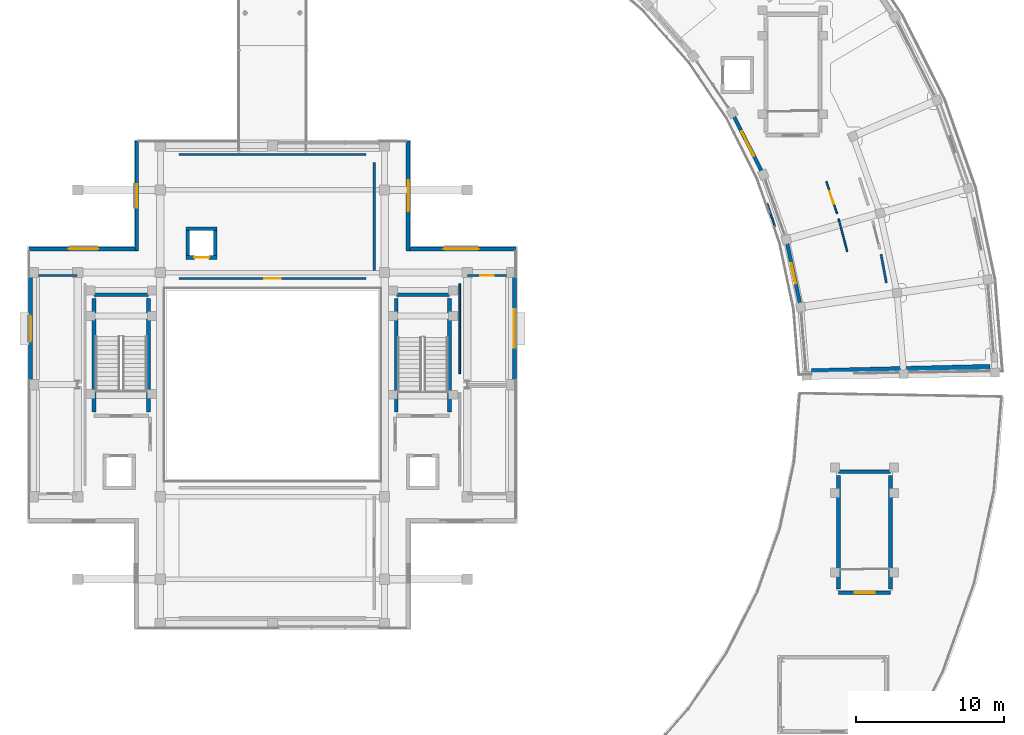
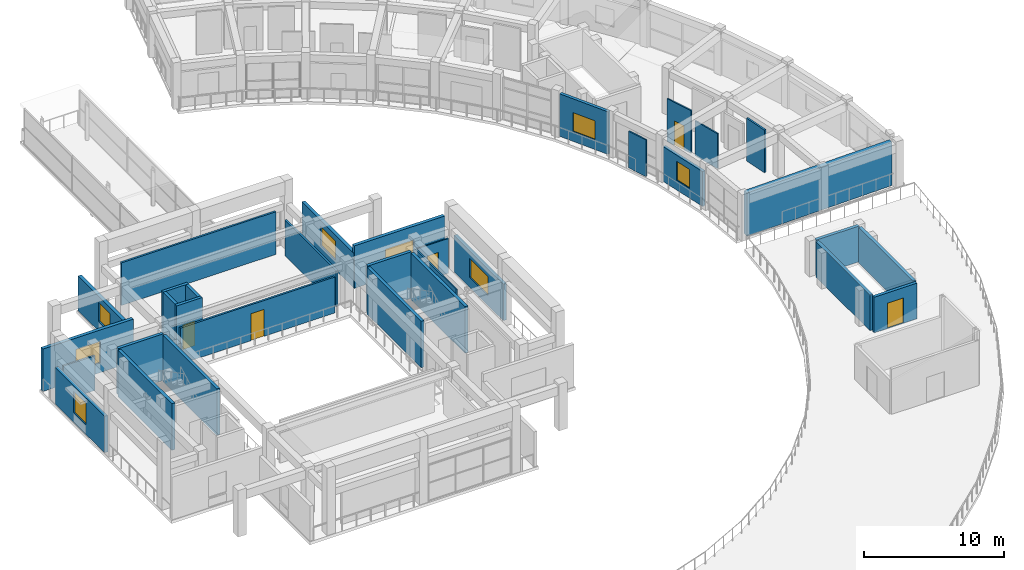
# One storey, part 20 of 29: 33 walls, 8 windows, 5 doors, 13 openings.
"""IFC4 building model written with IfcOpenShell, lengths in metres."""

from ifc_helpers import new_model, si_unit, direction, frame, frame_2d, origin, place, context, subcontext, project, spatial, rectangle, extrude, material, layer, layer_set, type_object, element, fill, save


model = new_model("IFC4")

# Units and contexts
model_context = context("Model", 3, precision=1e-05, world=origin(), true_north=direction((0.0, 1.0)))
body_context = subcontext(model_context, "Body", "Model", "MODEL_VIEW")
ifc_project = project(units=[si_unit("LENGTHUNIT", "METRE"), si_unit("AREAUNIT", "SQUARE_METRE"), si_unit("VOLUMEUNIT", "CUBIC_METRE"), si_unit("PLANEANGLEUNIT", "RADIAN"), si_unit("MASSUNIT", "GRAM", prefix="KILO")], contexts=[model_context])

# Site, building, storey
site_placement = place(None, origin())
site = spatial("IfcSite", under=ifc_project, at=site_placement, CompositionType="ELEMENT")
building_placement = place(site_placement, origin())
building = spatial("IfcBuilding", under=site, at=building_placement, Name="Saryqyr Civic Hall", CompositionType="ELEMENT")
storey_placement = place(building_placement, frame((0.0, 0.0, 25.35009765625)))
storey = spatial("IfcBuildingStorey", under=building, at=storey_placement, Name="L06", CompositionType="ELEMENT", Elevation=25.35009765625)

# Wall, opening, window
ifc_material_1 = material(Name="Precast concrete C40/50", Category="concrete")
ifc_layer_1 = layer(ifc_material_1, 0.239990234375, Name="Precast concrete C40/50")
ifc_layer_set_1 = layer_set([ifc_layer_1], Name="Precast concrete C40/50")
wall_type_1 = type_object("IfcWallType", Name="ENV-WAL-EXT-240", PredefinedType="STANDARD", material=ifc_layer_set_1)
wall_1_placement = place(storey_placement, frame((92.765625, 89.4951171875, 0.0), z_axis=(0.0, 0.0, 1.0), x_axis=(-0.208893062569, 0.977938489073, 0.0)))
wall_1 = element("IfcWall", 1, at=wall_1_placement, inside=storey, type_object=wall_type_1, Name="Exterior wall V6-EWI-L06-01", PredefinedType="STANDARD", context=body_context, shape_type="SweptSolid", body=[
    extrude(rectangle(XDim=4.194580078125, YDim=0.239990234375, at=frame_2d((2.09716796875, 0.0))), origin(), (0.0, 0.0, 1.0), 3.034912109375),
])
opening_1_placement = place(wall_1_placement, frame((1.39697265625, 0.0, 0.85009765625)))
opening_1 = element("IfcOpeningElement", 2, at=opening_1_placement, cuts=wall_1, Name="Opening W-18", PredefinedType="OPENING", context=body_context, shape_type="SweptSolid", body=[
    extrude(rectangle(XDim=1.39990234375, YDim=1.64990234375, at=frame_2d((0.699951171875, 0.824951171875))), frame((0.0, 0.1298828125, 0.0), z_axis=(0.0, -1.0, 0.0), x_axis=(1.0, 0.0, 0.0)), (0.0, 0.0, 1.0), 0.260009765625),
])
ifc_material_2 = material(Name="Anodised aluminium and triple low-E glass", Category="aluminium")
window_type_1 = type_object("IfcWindowType", Name="ENV-WIN-W18", PartitioningType="SINGLE_PANEL", PredefinedType="WINDOW", material=ifc_material_2)
window_1_placement = place(opening_1_placement, origin())
window_1 = element("IfcWindow", 3, at=window_1_placement, inside=storey, type_object=window_type_1, Name="Courtyard window V6-L06-01", OverallHeight=1.64990234375, OverallWidth=1.39990234375, PartitioningType="SINGLE_PANEL", PredefinedType="WINDOW", context=body_context, shape_type="SweptSolid", body=[
    extrude(rectangle(XDim=1.39990234375, YDim=1.64990234375, at=frame_2d((0.699951171875, 0.824951171875))), frame((0.0, 0.030029296875, 0.0), z_axis=(0.0, -1.0, 0.0), x_axis=(1.0, 0.0, 0.0)), (0.0, 0.0, 1.0), 0.06005859375),
])
fill(opening_1, window_1)

wall_2_placement = place(storey_placement, frame((90.162353515625, 98.475341796875, 0.0), z_axis=(0.0, 0.0, 1.0), x_axis=(-0.451915465701, 0.89206076691, 0.0)))
wall_2 = element("IfcWall", 4, at=wall_2_placement, inside=storey, type_object=wall_type_1, Name="Exterior wall V6-EWI-L06-03", PredefinedType="STANDARD", context=body_context, shape_type="SweptSolid", body=[
    extrude(rectangle(XDim=4.1484375, YDim=0.239990234375, at=frame_2d((2.07421875, 0.0))), origin(), (0.0, 0.0, 1.0), 3.699951171875),
])
opening_2_placement = place(wall_2_placement, frame((1.14892578125, 0.0, 0.85009765625)))
opening_2 = element("IfcOpeningElement", 5, at=opening_2_placement, cuts=wall_2, Name="Opening W-20", PredefinedType="OPENING", context=body_context, shape_type="SweptSolid", body=[
    extrude(rectangle(XDim=1.85009765625, YDim=1.64990234375, at=frame_2d((0.925048828125, 0.824951171875))), frame((0.0, 0.1298828125, 0.0), z_axis=(0.0, -1.0, 0.0), x_axis=(1.0, 0.0, 0.0)), (0.0, 0.0, 1.0), 0.260009765625),
])
window_type_2 = type_object("IfcWindowType", Name="ENV-WIN-W20", PartitioningType="SINGLE_PANEL", PredefinedType="WINDOW", material=ifc_material_2)
window_2_placement = place(opening_2_placement, origin())
window_2 = element("IfcWindow", 6, at=window_2_placement, inside=storey, type_object=window_type_2, Name="Courtyard window V6-L06-03", OverallHeight=1.64990234375, OverallWidth=1.85009765625, PartitioningType="SINGLE_PANEL", PredefinedType="WINDOW", context=body_context, shape_type="SweptSolid", body=[
    extrude(rectangle(XDim=1.85009765625, YDim=1.64990234375, at=frame_2d((0.925048828125, 0.824951171875))), frame((0.0, 0.030029296875, 0.0), z_axis=(0.0, -1.0, 0.0), x_axis=(1.0, 0.0, 0.0)), (0.0, 0.0, 1.0), 0.06005859375),
])
fill(opening_2, window_2)

ifc_layer_2 = layer(ifc_material_1, 0.27001953125, Name="Precast concrete C40/50")
ifc_layer_set_2 = layer_set([ifc_layer_2], Name="Precast concrete C40/50")
wall_type_2 = type_object("IfcWallType", Name="ENV-WAL-EXT-270", PredefinedType="STANDARD", material=ifc_layer_set_2)
wall_3_placement = place(storey_placement, frame((40.60009765625, 84.284912109375, 0.0), z_axis=(0.0, 0.0, 1.0), x_axis=(0.0, 1.0, 0.0)))
wall_3 = element("IfcWall", 7, at=wall_3_placement, inside=storey, type_object=wall_type_2, Name="Exterior wall V1-EW-L06-02", PredefinedType="STANDARD", context=body_context, shape_type="SweptSolid", body=[
    extrude(rectangle(XDim=7.030029296875, YDim=0.27001953125, at=frame_2d((3.51513671875, 0.0))), origin(), (0.0, 0.0, 1.0), 3.1748046875),
])
opening_3_placement = place(wall_3_placement, frame((2.639892578125, 0.0, 0.85009765625)))
opening_3 = element("IfcOpeningElement", 8, at=opening_3_placement, cuts=wall_3, Name="Opening W-27", PredefinedType="OPENING", context=body_context, shape_type="SweptSolid", body=[
    extrude(rectangle(XDim=1.75, YDim=1.85009765625, at=frame_2d((0.875, 0.925048828125))), frame((0.0, 0.14501953125, 0.0), z_axis=(0.0, -1.0, 0.0), x_axis=(1.0, 0.0, 0.0)), (0.0, 0.0, 1.0), 0.2900390625),
])
window_type_3 = type_object("IfcWindowType", Name="ENV-WIN-W27", PartitioningType="SINGLE_PANEL", PredefinedType="WINDOW", material=ifc_material_2)
window_3_placement = place(opening_3_placement, origin())
window_3 = element("IfcWindow", 9, at=window_3_placement, inside=storey, type_object=window_type_3, Name="Chamber cluster window L06-02", OverallHeight=1.85009765625, OverallWidth=1.75, PartitioningType="SINGLE_PANEL", PredefinedType="WINDOW", context=body_context, shape_type="SweptSolid", body=[
    extrude(rectangle(XDim=1.75, YDim=1.85009765625, at=frame_2d((0.875, 0.925048828125))), frame((0.0, 0.030029296875, 0.0), z_axis=(0.0, -1.0, 0.0), x_axis=(1.0, 0.0, 0.0)), (0.0, 0.0, 1.0), 0.06005859375),
])
fill(opening_3, window_3)

wall_4_placement = place(storey_placement, frame((40.47998046875, 93.199951171875, 0.0), z_axis=(0.0, 0.0, 1.0), x_axis=(1.0, 0.0, 0.0)))
wall_4 = element("IfcWall", 10, at=wall_4_placement, inside=storey, type_object=wall_type_2, Name="Exterior wall V1-EW-L06-03", PredefinedType="STANDARD", context=body_context, shape_type="SweptSolid", body=[
    extrude(rectangle(XDim=7.43994140625, YDim=0.27001953125, at=frame_2d((3.719970703125, 0.0))), origin(), (0.0, 0.0, 1.0), 3.699951171875),
])
opening_4_placement = place(wall_4_placement, frame((2.719970703125, 0.0, 0.85009765625)))
opening_4 = element("IfcOpeningElement", 11, at=opening_4_placement, cuts=wall_4, Name="Opening W-28", PredefinedType="OPENING", context=body_context, shape_type="SweptSolid", body=[
    extrude(rectangle(XDim=2.0, YDim=1.85009765625, at=frame_2d((1.0, 0.925048828125))), frame((0.0, 0.14501953125, 0.0), z_axis=(0.0, -1.0, 0.0), x_axis=(1.0, 0.0, 0.0)), (0.0, 0.0, 1.0), 0.2900390625),
])
window_type_4 = type_object("IfcWindowType", Name="ENV-WIN-W28", PartitioningType="SINGLE_PANEL", PredefinedType="WINDOW", material=ifc_material_2)
window_4_placement = place(opening_4_placement, origin())
window_4 = element("IfcWindow", 12, at=window_4_placement, inside=storey, type_object=window_type_4, Name="Chamber cluster window L06-03", OverallHeight=1.85009765625, OverallWidth=2.0, PartitioningType="SINGLE_PANEL", PredefinedType="WINDOW", context=body_context, shape_type="SweptSolid", body=[
    extrude(rectangle(XDim=2.0, YDim=1.85009765625, at=frame_2d((1.0, 0.925048828125))), frame((0.0, 0.030029296875, 0.0), z_axis=(0.0, -1.0, 0.0), x_axis=(1.0, 0.0, 0.0)), (0.0, 0.0, 1.0), 0.06005859375),
])
fill(opening_4, window_4)

wall_5_placement = place(storey_placement, frame((47.800048828125, 93.080078125, 0.0), z_axis=(0.0, 0.0, 1.0), x_axis=(0.0, 1.0, 0.0)))
wall_5 = element("IfcWall", 13, at=wall_5_placement, inside=storey, type_object=wall_type_2, Name="Exterior wall V1-EW-L06-04", PredefinedType="STANDARD", context=body_context, shape_type="SweptSolid", body=[
    extrude(rectangle(XDim=7.43994140625, YDim=0.27001953125, at=frame_2d((3.719970703125, 0.0))), origin(), (0.0, 0.0, 1.0), 3.02490234375),
])
opening_5_placement = place(wall_5_placement, frame((2.919921875, 0.0, 0.85009765625)))
opening_5 = element("IfcOpeningElement", 14, at=opening_5_placement, cuts=wall_5, Name="Opening W-19", PredefinedType="OPENING", context=body_context, shape_type="SweptSolid", body=[
    extrude(rectangle(XDim=1.60009765625, YDim=1.64990234375, at=frame_2d((0.800048828125, 0.824951171875))), frame((0.0, 0.14501953125, 0.0), z_axis=(0.0, -1.0, 0.0), x_axis=(1.0, 0.0, 0.0)), (0.0, 0.0, 1.0), 0.2900390625),
])
window_type_5 = type_object("IfcWindowType", Name="ENV-WIN-W19", PartitioningType="SINGLE_PANEL", PredefinedType="WINDOW", material=ifc_material_2)
window_5_placement = place(opening_5_placement, origin())
window_5 = element("IfcWindow", 15, at=window_5_placement, inside=storey, type_object=window_type_5, Name="Chamber cluster window L06-04", OverallHeight=1.64990234375, OverallWidth=1.60009765625, PartitioningType="SINGLE_PANEL", PredefinedType="WINDOW", context=body_context, shape_type="SweptSolid", body=[
    extrude(rectangle(XDim=1.60009765625, YDim=1.64990234375, at=frame_2d((0.800048828125, 0.824951171875))), frame((0.0, 0.030029296875, 0.0), z_axis=(0.0, -1.0, 0.0), x_axis=(1.0, 0.0, 0.0)), (0.0, 0.0, 1.0), 0.06005859375),
])
fill(opening_5, window_5)

wall_6_placement = place(storey_placement, frame((66.199951171875, 100.52001953125, 0.0), z_axis=(0.0, 0.0, 1.0), x_axis=(0.0, -1.0, 0.0)))
wall_6 = element("IfcWall", 16, at=wall_6_placement, inside=storey, type_object=wall_type_2, Name="Exterior wall V1-EW-L06-06", PredefinedType="STANDARD", context=body_context, shape_type="SweptSolid", body=[
    extrude(rectangle(XDim=7.43994140625, YDim=0.27001953125, at=frame_2d((3.719970703125, 0.0))), origin(), (0.0, 0.0, 1.0), 3.02490234375),
])
opening_6_placement = place(wall_6_placement, frame((2.669921875, 0.0, 0.85009765625)))
opening_6 = element("IfcOpeningElement", 17, at=opening_6_placement, cuts=wall_6, Name="Opening W-21", PredefinedType="OPENING", context=body_context, shape_type="SweptSolid", body=[
    extrude(rectangle(XDim=2.10009765625, YDim=1.64990234375, at=frame_2d((1.050048828125, 0.824951171875))), frame((0.0, 0.14501953125, 0.0), z_axis=(0.0, -1.0, 0.0), x_axis=(1.0, 0.0, 0.0)), (0.0, 0.0, 1.0), 0.2900390625),
])
window_type_6 = type_object("IfcWindowType", Name="ENV-WIN-W21", PartitioningType="SINGLE_PANEL", PredefinedType="WINDOW", material=ifc_material_2)
window_6_placement = place(opening_6_placement, origin())
window_6 = element("IfcWindow", 18, at=window_6_placement, inside=storey, type_object=window_type_6, Name="Chamber cluster window L06-06", OverallHeight=1.64990234375, OverallWidth=2.10009765625, PartitioningType="SINGLE_PANEL", PredefinedType="WINDOW", context=body_context, shape_type="SweptSolid", body=[
    extrude(rectangle(XDim=2.10009765625, YDim=1.64990234375, at=frame_2d((1.050048828125, 0.824951171875))), frame((0.0, 0.030029296875, 0.0), z_axis=(0.0, -1.0, 0.0), x_axis=(1.0, 0.0, 0.0)), (0.0, 0.0, 1.0), 0.06005859375),
])
fill(opening_6, window_6)

wall_7_placement = place(storey_placement, frame((66.080078125, 93.199951171875, 0.0), z_axis=(0.0, 0.0, 1.0), x_axis=(1.0, 0.0, 0.0)))
wall_7 = element("IfcWall", 19, at=wall_7_placement, inside=storey, type_object=wall_type_2, Name="Exterior wall V1-EW-L06-07", PredefinedType="STANDARD", context=body_context, shape_type="SweptSolid", body=[
    extrude(rectangle(XDim=7.43994140625, YDim=0.27001953125, at=frame_2d((3.719970703125, 0.0))), origin(), (0.0, 0.0, 1.0), 3.699951171875),
])
opening_7_placement = place(wall_7_placement, frame((2.544921875, 0.0, 0.85009765625)))
opening_7 = element("IfcOpeningElement", 20, at=opening_7_placement, cuts=wall_7, Name="Opening W-22", PredefinedType="OPENING", context=body_context, shape_type="SweptSolid", body=[
    extrude(rectangle(XDim=2.35009765625, YDim=1.64990234375, at=frame_2d((1.175048828125, 0.824951171875))), frame((0.0, 0.14501953125, 0.0), z_axis=(0.0, -1.0, 0.0), x_axis=(1.0, 0.0, 0.0)), (0.0, 0.0, 1.0), 0.2900390625),
])
window_type_7 = type_object("IfcWindowType", Name="ENV-WIN-W22", PartitioningType="SINGLE_PANEL", PredefinedType="WINDOW", material=ifc_material_2)
window_7_placement = place(opening_7_placement, origin())
window_7 = element("IfcWindow", 21, at=window_7_placement, inside=storey, type_object=window_type_7, Name="Chamber cluster window L06-07", OverallHeight=1.64990234375, OverallWidth=2.35009765625, PartitioningType="SINGLE_PANEL", PredefinedType="WINDOW", context=body_context, shape_type="SweptSolid", body=[
    extrude(rectangle(XDim=2.35009765625, YDim=1.64990234375, at=frame_2d((1.175048828125, 0.824951171875))), frame((0.0, 0.030029296875, 0.0), z_axis=(0.0, -1.0, 0.0), x_axis=(1.0, 0.0, 0.0)), (0.0, 0.0, 1.0), 0.06005859375),
])
fill(opening_7, window_7)

wall_8_placement = place(storey_placement, frame((73.39990234375, 91.31494140625, 0.0), z_axis=(0.0, 0.0, 1.0), x_axis=(0.0, -1.0, 0.0)))
wall_8 = element("IfcWall", 22, at=wall_8_placement, inside=storey, type_object=wall_type_2, Name="Exterior wall V1-EW-L06-08", PredefinedType="STANDARD", context=body_context, shape_type="SweptSolid", body=[
    extrude(rectangle(XDim=7.030029296875, YDim=0.27001953125, at=frame_2d((3.51513671875, 0.0))), origin(), (0.0, 0.0, 1.0), 3.1748046875),
])
opening_8_placement = place(wall_8_placement, frame((2.215087890625, 0.0, 0.85009765625)))
opening_8 = element("IfcOpeningElement", 23, at=opening_8_placement, cuts=wall_8, Name="Opening W-23", PredefinedType="OPENING", context=body_context, shape_type="SweptSolid", body=[
    extrude(rectangle(XDim=2.60009765625, YDim=1.64990234375, at=frame_2d((1.300048828125, 0.824951171875))), frame((0.0, 0.14501953125, 0.0), z_axis=(0.0, -1.0, 0.0), x_axis=(1.0, 0.0, 0.0)), (0.0, 0.0, 1.0), 0.2900390625),
])
window_type_8 = type_object("IfcWindowType", Name="ENV-WIN-W23", PartitioningType="SINGLE_PANEL", PredefinedType="WINDOW", material=ifc_material_2)
window_8_placement = place(opening_8_placement, origin())
window_8 = element("IfcWindow", 24, at=window_8_placement, inside=storey, type_object=window_type_8, Name="Chamber cluster window L06-08", OverallHeight=1.64990234375, OverallWidth=2.60009765625, PartitioningType="SINGLE_PANEL", PredefinedType="WINDOW", context=body_context, shape_type="SweptSolid", body=[
    extrude(rectangle(XDim=2.60009765625, YDim=1.64990234375, at=frame_2d((1.300048828125, 0.824951171875))), frame((0.0, 0.030029296875, 0.0), z_axis=(0.0, -1.0, 0.0), x_axis=(1.0, 0.0, 0.0)), (0.0, 0.0, 1.0), 0.06005859375),
])
fill(opening_8, window_8)

# Wall
ifc_material_3 = material(Name="Concrete C40/50", Category="concrete")
ifc_layer_3 = layer(ifc_material_3, 0.3798828125, Name="Concrete C40/50")
ifc_layer_set_3 = layer_set([ifc_layer_3], Name="Concrete C40/50")
wall_type_3 = type_object("IfcWallType", Name="ENV-WAL-PTY-380", PredefinedType="SHEAR", material=ifc_layer_set_3)
wall_9_placement = place(storey_placement, frame((105.635498046875, 85.188720703125, 0.0), z_axis=(0.0, 0.0, 1.0), x_axis=(-0.999701441778, -0.024434142249, 0.0)))
element("IfcWall", 25, at=wall_9_placement, inside=storey, type_object=wall_type_3, Name="Exterior wall V6-JNTW-A-L06", PredefinedType="SHEAR", context=body_context, shape_type="SweptSolid", body=[
    extrude(rectangle(XDim=12.10009765625, YDim=0.3798828125, at=frame_2d((6.050048828125, 0.0))), origin(), (0.0, 0.0, 1.0), 3.75),
])

# Wall, opening, door
ifc_material_4 = material(Name="Moisture-resistant gypsum partition", Category="gypsum")
ifc_layer_4 = layer(ifc_material_4, 0.110107421875, Name="Moisture-resistant gypsum partition")
ifc_layer_set_4 = layer_set([ifc_layer_4], Name="Moisture-resistant gypsum partition")
wall_type_4 = type_object("IfcWallType", Name="INT-WAL-PRT-110", PredefinedType="PARTITIONING", material=ifc_layer_set_4)
wall_10_placement = place(storey_placement, frame((94.549560546875, 97.768798828125, 0.0), z_axis=(0.0, 0.0, 1.0), x_axis=(0.317151668087, -0.94837483066, 0.0)))
wall_10 = element("IfcWall", 26, at=wall_10_placement, inside=storey, type_object=wall_type_4, Name="Interior partition PRT-SP-V6-L06-R04-W1", PredefinedType="PARTITIONING", context=body_context, shape_type="SweptSolid", body=[
    extrude(rectangle(XDim=2.298583984375, YDim=0.110107421875, at=frame_2d((1.1494140625, 0.0))), origin(), (0.0, 0.0, 1.0), 3.719970703125),
])
opening_9_placement = place(wall_10_placement, frame((0.698974609375, 0.0, 0.0)))
opening_9 = element("IfcOpeningElement", 27, at=opening_9_placement, cuts=wall_10, Name="Opening D-01", PredefinedType="OPENING", context=body_context, shape_type="SweptSolid", body=[
    extrude(rectangle(XDim=0.89990234375, YDim=2.10009765625, at=frame_2d((0.449951171875, 1.050048828125))), frame((0.0, 0.06494140625, 0.0), z_axis=(0.0, -1.0, 0.0), x_axis=(1.0, 0.0, 0.0)), (0.0, 0.0, 1.0), 0.130126953125),
])
ifc_material_5 = material(Name="Acoustic solid-core oak veneer", Category="wood")
door_type_1 = type_object("IfcDoorType", Name="INT-DR-D-01", OperationType="NOTDEFINED", PredefinedType="DOOR", material=ifc_material_5)
door_1_placement = place(opening_9_placement, origin())
door_1 = element("IfcDoor", 28, at=door_1_placement, inside=storey, type_object=door_type_1, Name="Interior door Council Chair & Presidium Suite", OperationType="SINGLE_SWING_LEFT", OverallHeight=2.10009765625, OverallWidth=0.89990234375, PredefinedType="DOOR", context=body_context, shape_type="SweptSolid", body=[
    extrude(rectangle(XDim=0.89990234375, YDim=2.10009765625, at=frame_2d((0.449951171875, 1.050048828125))), frame((0.0, 0.02490234375, 0.0), z_axis=(0.0, -1.0, 0.0), x_axis=(1.0, 0.0, 0.0)), (0.0, 0.0, 1.0), 0.050048828125),
])
fill(opening_9, door_1)

# Walls
wall_11_placement = place(storey_placement, frame((95.38134765625, 95.244140625, 0.0), z_axis=(0.0, 0.0, 1.0), x_axis=(0.253416186792, -0.96735734673, 0.0)))
element("IfcWall", 29, at=wall_11_placement, inside=storey, type_object=wall_type_4, Name="Interior partition PRT-SP-V6-L06-R04-W2", PredefinedType="PARTITIONING", context=body_context, shape_type="SweptSolid", body=[
    extrude(rectangle(XDim=2.298583984375, YDim=0.110107421875, at=frame_2d((1.1494140625, 0.0))), origin(), (0.0, 0.0, 1.0), 3.034912109375),
])
wall_12_placement = place(storey_placement, frame((91.059326171875, 94.718017578125, 0.0), z_axis=(0.0, 0.0, 1.0), x_axis=(-0.317163065143, 0.948371019227, 0.0)))
element("IfcWall", 30, at=wall_12_placement, inside=storey, type_object=wall_type_4, Name="Interior partition PRT-SP-V6-L06-R04-W3", PredefinedType="PARTITIONING", context=body_context, shape_type="SweptSolid", body=[
    extrude(rectangle(XDim=1.644287109375, YDim=0.110107421875, at=frame_2d((0.822265625, 0.0))), origin(), (0.0, 0.0, 1.0), 3.184814453125),
])
wall_13_placement = place(storey_placement, frame((69.699951171875, 84.75, 0.0), z_axis=(0.0, 0.0, 1.0), x_axis=(0.0, 1.0, 0.0)))
element("IfcWall", 31, at=wall_13_placement, inside=storey, type_object=wall_type_4, Name="Interior partition PRT-SP-V1-L06-R05-W1", PredefinedType="PARTITIONING", context=body_context, shape_type="SweptSolid", body=[
    extrude(rectangle(XDim=6.10009765625, YDim=0.110107421875, at=frame_2d((3.050048828125, 0.0))), origin(), (0.0, 0.0, 1.0), 3.7099609375),
])

# Wall, opening, door
wall_14_placement = place(storey_placement, frame((70.25, 91.39990234375, 0.0), z_axis=(0.0, 0.0, 1.0), x_axis=(1.0, 0.0, 0.0)))
wall_14 = element("IfcWall", 32, at=wall_14_placement, inside=storey, type_object=wall_type_4, Name="Interior partition PRT-SP-V1-L06-R05-W2", PredefinedType="PARTITIONING", context=body_context, shape_type="SweptSolid", body=[
    extrude(rectangle(XDim=2.60009765625, YDim=0.110107421875, at=frame_2d((1.300048828125, 0.0))), origin(), (0.0, 0.0, 1.0), 3.02490234375),
])
opening_10_placement = place(wall_14_placement, frame((0.85009765625, 0.0, 0.0)))
opening_10 = element("IfcOpeningElement", 33, at=opening_10_placement, cuts=wall_14, Name="Opening D-01", PredefinedType="OPENING", context=body_context, shape_type="SweptSolid", body=[
    extrude(rectangle(XDim=0.89990234375, YDim=2.10009765625, at=frame_2d((0.449951171875, 1.050048828125))), frame((0.0, 0.06494140625, 0.0), z_axis=(0.0, -1.0, 0.0), x_axis=(1.0, 0.0, 0.0)), (0.0, 0.0, 1.0), 0.130126953125),
])
door_2_placement = place(opening_10_placement, origin())
door_2 = element("IfcDoor", 34, at=door_2_placement, inside=storey, type_object=door_type_1, Name="Interior door Press Restroom & Accessible MGN WC L06", OperationType="SINGLE_SWING_LEFT", OverallHeight=2.10009765625, OverallWidth=0.89990234375, PredefinedType="DOOR", context=body_context, shape_type="SweptSolid", body=[
    extrude(rectangle(XDim=0.89990234375, YDim=2.10009765625, at=frame_2d((0.449951171875, 1.050048828125))), frame((0.0, 0.02490234375, 0.0), z_axis=(0.0, -1.0, 0.0), x_axis=(1.0, 0.0, 0.0)), (0.0, 0.0, 1.0), 0.050048828125),
])
fill(opening_10, door_2)

# Walls
ifc_material_6 = material(Name="Metal-stud gypsum board partition", Category="gypsum")
ifc_layer_5 = layer(ifc_material_6, 0.139892578125, Name="Metal-stud gypsum board partition")
ifc_layer_set_5 = layer_set([ifc_layer_5], Name="Metal-stud gypsum board partition")
wall_type_5 = type_object("IfcWallType", Name="INT-WAL-PRT-140", PredefinedType="PARTITIONING", material=ifc_layer_set_5)
wall_15_placement = place(storey_placement, frame((41.14990234375, 91.39990234375, 0.0), z_axis=(0.0, 0.0, 1.0), x_axis=(1.0, 0.0, 0.0)))
element("IfcWall", 35, at=wall_15_placement, inside=storey, type_object=wall_type_5, Name="Interior partition PRT-SP-V1-L06-R03-W3", PredefinedType="PARTITIONING", context=body_context, shape_type="SweptSolid", body=[
    extrude(rectangle(XDim=2.60009765625, YDim=0.139892578125, at=frame_2d((1.300048828125, 0.0))), origin(), (0.0, 0.0, 1.0), 3.02490234375),
])
ifc_material_7 = material(Name="Acoustic double-stud gypsum board", Category="gypsum")
ifc_layer_6 = layer(ifc_material_7, 0.155029296875, Name="Acoustic double-stud gypsum board")
ifc_layer_set_6 = layer_set([ifc_layer_6], Name="Acoustic double-stud gypsum board")
wall_type_6 = type_object("IfcWallType", Name="INT-WAL-PRT-155", PredefinedType="PARTITIONING", material=ifc_layer_set_6)
wall_16_placement = place(storey_placement, frame((98.616943359375, 90.90576171875, 0.0), z_axis=(0.0, 0.0, 1.0), x_axis=(-0.182324809922, 0.98323835548, 0.0)))
element("IfcWall", 36, at=wall_16_placement, inside=storey, type_object=wall_type_6, Name="Interior partition PRT-SP-V6-L06-R01-W3", PredefinedType="PARTITIONING", context=body_context, shape_type="SweptSolid", body=[
    extrude(rectangle(XDim=1.967041015625, YDim=0.155029296875, at=frame_2d((0.9833984375, 0.0))), origin(), (0.0, 0.0, 1.0), 3.719970703125),
])

# Wall, opening, door
wall_17_placement = place(storey_placement, frame((63.35009765625, 91.199951171875, 0.0), z_axis=(0.0, 0.0, 1.0), x_axis=(-1.0, 0.0, 0.0)))
wall_17 = element("IfcWall", 37, at=wall_17_placement, inside=storey, type_object=wall_type_6, Name="Interior partition PRT-SP-V1-L06-R02-W1", PredefinedType="PARTITIONING", context=body_context, shape_type="SweptSolid", body=[
    extrude(rectangle(XDim=12.7001953125, YDim=0.155029296875, at=frame_2d((6.35009765625, 0.0))), origin(), (0.0, 0.0, 1.0), 3.125),
])
opening_11_placement = place(wall_17_placement, frame((5.800048828125, 0.0, 0.0)))
opening_11 = element("IfcOpeningElement", 38, at=opening_11_placement, cuts=wall_17, Name="Opening D-17", PredefinedType="OPENING", context=body_context, shape_type="SweptSolid", body=[
    extrude(rectangle(XDim=1.10009765625, YDim=2.35009765625, at=frame_2d((0.550048828125, 1.175048828125))), frame((0.0, 0.08740234375, 0.0), z_axis=(0.0, -1.0, 0.0), x_axis=(1.0, 0.0, 0.0)), (0.0, 0.0, 1.0), 0.175048828125),
])
door_type_2 = type_object("IfcDoorType", Name="INT-DR-D-17", OperationType="NOTDEFINED", PredefinedType="DOOR", material=ifc_material_5)
door_3_placement = place(opening_11_placement, origin())
door_3 = element("IfcDoor", 39, at=door_3_placement, inside=storey, type_object=door_type_2, Name="Interior door Accredited Parliamentary Press Tribunes", OperationType="SINGLE_SWING_LEFT", OverallHeight=2.35009765625, OverallWidth=1.10009765625, PredefinedType="DOOR", context=body_context, shape_type="SweptSolid", body=[
    extrude(rectangle(XDim=1.10009765625, YDim=2.35009765625, at=frame_2d((0.550048828125, 1.175048828125))), frame((0.0, 0.02490234375, 0.0), z_axis=(0.0, -1.0, 0.0), x_axis=(1.0, 0.0, 0.0)), (0.0, 0.0, 1.0), 0.050048828125),
])
fill(opening_11, door_3)

# Walls
wall_18_placement = place(storey_placement, frame((50.64990234375, 99.60009765625, 0.0), z_axis=(0.0, 0.0, 1.0), x_axis=(1.0, 0.0, 0.0)))
element("IfcWall", 40, at=wall_18_placement, inside=storey, type_object=wall_type_6, Name="Interior partition PRT-SP-V1-L06-R02-W2", PredefinedType="PARTITIONING", context=body_context, shape_type="SweptSolid", body=[
    extrude(rectangle(XDim=12.7001953125, YDim=0.155029296875, at=frame_2d((6.35009765625, 0.0))), origin(), (0.0, 0.0, 1.0), 3.7099609375),
])
wall_19_placement = place(storey_placement, frame((63.89990234375, 99.050048828125, 0.0), z_axis=(0.0, 0.0, 1.0), x_axis=(0.0, -1.0, 0.0)))
element("IfcWall", 41, at=wall_19_placement, inside=storey, type_object=wall_type_6, Name="Interior partition PRT-SP-V1-L06-R02-W3", PredefinedType="PARTITIONING", context=body_context, shape_type="SweptSolid", body=[
    extrude(rectangle(XDim=7.300048828125, YDim=0.155029296875, at=frame_2d((3.64990234375, 0.0))), origin(), (0.0, 0.0, 1.0), 3.125),
])

# Wall, opening, door
ifc_layer_7 = layer(ifc_material_3, 0.239990234375, Name="Concrete C40/50")
ifc_layer_set_7 = layer_set([ifc_layer_7], Name="Concrete C40/50")
wall_type_7 = type_object("IfcWallType", Name="INT-WAL-SHR-240", PredefinedType="SHEAR", material=ifc_layer_set_7)
wall_20_placement = place(storey_placement, frame((53.25, 92.6201171875, 0.0), z_axis=(0.0, 0.0, 1.0), x_axis=(-1.0, 0.0, 0.0)))
wall_20 = element("IfcWall", 42, at=wall_20_placement, inside=storey, type_object=wall_type_7, Name="Lift shaft shear wall LF-03-SHW-S-L06", PredefinedType="SHEAR", context=body_context, shape_type="SweptSolid", body=[
    extrude(rectangle(XDim=2.10009765625, YDim=0.239990234375, at=frame_2d((1.050048828125, 0.0))), origin(), (0.0, 0.0, 1.0), 4.0498046875),
])
opening_12_placement = place(wall_20_placement, frame((0.550048828125, 0.0, 0.0)))
opening_12 = element("IfcOpeningElement", 43, at=opening_12_placement, cuts=wall_20, Name="Opening LD-02", PredefinedType="OPENING", context=body_context, shape_type="SweptSolid", body=[
    extrude(rectangle(XDim=1.0, YDim=2.14990234375, at=frame_2d((0.5, 1.074951171875))), frame((0.0, 0.1298828125, 0.0), z_axis=(0.0, -1.0, 0.0), x_axis=(1.0, 0.0, 0.0)), (0.0, 0.0, 1.0), 0.260009765625),
])
ifc_material_8 = material(Name="Brushed stainless steel", Category="steel")
door_type_3 = type_object("IfcDoorType", Name="INT-DR-LD-1000x2150", OperationType="NOTDEFINED", PredefinedType="DOOR", material=ifc_material_8)
door_4_placement = place(opening_12_placement, origin())
door_4 = element("IfcDoor", 44, at=door_4_placement, inside=storey, type_object=door_type_3, Name="Lift sliding landing door LF-03 L06", OperationType="SLIDING_TO_LEFT", OverallHeight=2.14990234375, OverallWidth=1.0, PredefinedType="DOOR", context=body_context, shape_type="SweptSolid", body=[
    extrude(rectangle(XDim=1.0, YDim=2.14990234375, at=frame_2d((0.5, 1.074951171875))), frame((0.0, 0.02490234375, 0.0), z_axis=(0.0, -1.0, 0.0), x_axis=(1.0, 0.0, 0.0)), (0.0, 0.0, 1.0), 0.050048828125),
])
fill(opening_12, door_4)

# Walls
wall_21_placement = place(storey_placement, frame((53.1298828125, 94.4599609375, 0.0), z_axis=(0.0, 0.0, 1.0), x_axis=(0.0, -1.0, 0.0)))
element("IfcWall", 45, at=wall_21_placement, inside=storey, type_object=wall_type_7, Name="Lift shaft shear wall LF-03-SHW-E-L06", PredefinedType="SHEAR", context=body_context, shape_type="SweptSolid", body=[
    extrude(rectangle(XDim=1.719970703125, YDim=0.239990234375, at=frame_2d((0.85986328125, 0.0))), origin(), (0.0, 0.0, 1.0), 4.0498046875),
])
wall_22_placement = place(storey_placement, frame((51.14990234375, 94.580078125, 0.0), z_axis=(0.0, 0.0, 1.0), x_axis=(1.0, 0.0, 0.0)))
element("IfcWall", 46, at=wall_22_placement, inside=storey, type_object=wall_type_7, Name="Lift shaft shear wall LF-03-SHW-N-L06", PredefinedType="SHEAR", context=body_context, shape_type="SweptSolid", body=[
    extrude(rectangle(XDim=2.10009765625, YDim=0.239990234375, at=frame_2d((1.050048828125, 0.0))), origin(), (0.0, 0.0, 1.0), 4.0498046875),
])
wall_23_placement = place(storey_placement, frame((51.27001953125, 92.739990234375, 0.0), z_axis=(0.0, 0.0, 1.0), x_axis=(0.0, 1.0, 0.0)))
element("IfcWall", 47, at=wall_23_placement, inside=storey, type_object=wall_type_7, Name="Lift shaft shear wall LF-03-SHW-W-L06", PredefinedType="SHEAR", context=body_context, shape_type="SweptSolid", body=[
    extrude(rectangle(XDim=1.719970703125, YDim=0.239990234375, at=frame_2d((0.85986328125, 0.0))), origin(), (0.0, 0.0, 1.0), 4.0498046875),
])
ifc_layer_8 = layer(ifc_material_3, 0.25, Name="Concrete C40/50")
ifc_layer_set_8 = layer_set([ifc_layer_8], Name="Concrete C40/50")
wall_type_8 = type_object("IfcWallType", Name="INT-WAL-SHR-250", PredefinedType="SHEAR", material=ifc_layer_set_8)
wall_24_placement = place(storey_placement, frame((44.89990234375, 82.14990234375, 0.0), z_axis=(0.0, 0.0, 1.0), x_axis=(0.0, 1.0, 0.0)))
element("IfcWall", 48, at=wall_24_placement, inside=storey, type_object=wall_type_8, Name="Protected stair shaft wall ST-1-SW2-L06", PredefinedType="SHEAR", context=body_context, shape_type="SweptSolid", body=[
    extrude(rectangle(XDim=7.7001953125, YDim=0.25, at=frame_2d((3.85009765625, 0.0))), origin(), (0.0, 0.0, 1.0), 4.0498046875),
])
wall_25_placement = place(storey_placement, frame((44.89990234375, 90.10009765625, 0.0), z_axis=(0.0, 0.0, 1.0), x_axis=(1.0, 0.0, 0.0)))
element("IfcWall", 49, at=wall_25_placement, inside=storey, type_object=wall_type_8, Name="Protected stair shaft wall ST-1-SW3-L06", PredefinedType="SHEAR", context=body_context, shape_type="SweptSolid", body=[
    extrude(rectangle(XDim=3.7001953125, YDim=0.25, at=frame_2d((1.85009765625, 0.0))), origin(), (0.0, 0.0, 1.0), 4.0498046875),
])
for number, where, z_axis, x_axis, name in (
    (50, (48.60009765625, 89.85009765625, 0.0), (0.0, 0.0, 1.0), (0.0, -1.0, 0.0), "Protected stair shaft wall ST-1-SW4-L06"),
    (51, (65.39990234375, 82.14990234375, 0.0), (0.0, 0.0, 1.0), (0.0, 1.0, 0.0), "Protected stair shaft wall ST-2-SW2-L06"),
):
    element("IfcWall", number, at=place(storey_placement, frame(where, z_axis=z_axis, x_axis=x_axis)), inside=storey, type_object=wall_type_8, Name=name, PredefinedType="SHEAR", context=body_context, shape_type="SweptSolid", body=[
        extrude(rectangle(XDim=7.7001953125, YDim=0.25, at=frame_2d((3.85009765625, 0.0))), origin(), (0.0, 0.0, 1.0), 4.0498046875),
    ])
wall_26_placement = place(storey_placement, frame((65.39990234375, 90.10009765625, 0.0), z_axis=(0.0, 0.0, 1.0), x_axis=(1.0, 0.0, 0.0)))
element("IfcWall", 52, at=wall_26_placement, inside=storey, type_object=wall_type_8, Name="Protected stair shaft wall ST-2-SW3-L06", PredefinedType="SHEAR", context=body_context, shape_type="SweptSolid", body=[
    extrude(rectangle(XDim=3.60009765625, YDim=0.25, at=frame_2d((1.800048828125, 0.0))), origin(), (0.0, 0.0, 1.0), 4.0498046875),
])
wall_27_placement = place(storey_placement, frame((69.0, 89.85009765625, 0.0), z_axis=(0.0, 0.0, 1.0), x_axis=(0.0, -1.0, 0.0)))
element("IfcWall", 53, at=wall_27_placement, inside=storey, type_object=wall_type_8, Name="Protected stair shaft wall ST-2-SW4-L06", PredefinedType="SHEAR", context=body_context, shape_type="SweptSolid", body=[
    extrude(rectangle(XDim=7.7001953125, YDim=0.25, at=frame_2d((3.85009765625, 0.0))), origin(), (0.0, 0.0, 1.0), 4.0498046875),
])

# Wall, opening, door
wall_28_placement = place(storey_placement, frame((98.89990234375, 69.89990234375, 0.0), z_axis=(0.0, 0.0, 1.0), x_axis=(-1.0, 0.0, 0.0)))
wall_28 = element("IfcWall", 54, at=wall_28_placement, inside=storey, type_object=wall_type_8, Name="Protected stair shaft wall ST-5-SW1-L06", PredefinedType="SHEAR", context=body_context, shape_type="SweptSolid", body=[
    extrude(rectangle(XDim=3.52001953125, YDim=0.25, at=frame_2d((1.760009765625, 0.0))), origin(), (0.0, 0.0, 1.0), 3.099853515625),
])
opening_13_placement = place(wall_28_placement, frame((1.0849609375, 0.0, 0.0)))
opening_13 = element("IfcOpeningElement", 55, at=opening_13_placement, cuts=wall_28, Name="Opening SD-01", PredefinedType="OPENING", context=body_context, shape_type="SweptSolid", body=[
    extrude(rectangle(XDim=1.35009765625, YDim=2.199951171875, at=frame_2d((0.675048828125, 1.10009765625))), frame((0.0, 0.135009765625, 0.0), z_axis=(0.0, -1.0, 0.0), x_axis=(1.0, 0.0, 0.0)), (0.0, 0.0, 1.0), 0.27001953125),
])
ifc_material_9 = material(Name="Painted galvanized steel", Category="steel")
door_type_4 = type_object("IfcDoorType", Name="INT-DR-STAIR-1350x2200", OperationType="NOTDEFINED", PredefinedType="DOOR", material=ifc_material_9)
door_5_placement = place(opening_13_placement, origin())
door_5 = element("IfcDoor", 56, at=door_5_placement, inside=storey, type_object=door_type_4, Name="Exit stair landing fire door ST-5-L06", OperationType="SINGLE_SWING_RIGHT", OverallHeight=2.199951171875, OverallWidth=1.35009765625, PredefinedType="DOOR", context=body_context, shape_type="SweptSolid", body=[
    extrude(rectangle(XDim=1.35009765625, YDim=2.199951171875, at=frame_2d((0.675048828125, 1.10009765625))), frame((0.0, 0.02490234375, 0.0), z_axis=(0.0, -1.0, 0.0), x_axis=(1.0, 0.0, 0.0)), (0.0, 0.0, 1.0), 0.050048828125),
])
fill(opening_13, door_5)

# Walls
wall_29_placement = place(storey_placement, frame((95.3798828125, 70.14990234375, 0.0), z_axis=(0.0, 0.0, 1.0), x_axis=(0.0, 1.0, 0.0)))
element("IfcWall", 57, at=wall_29_placement, inside=storey, type_object=wall_type_8, Name="Protected stair shaft wall ST-5-SW2-L06", PredefinedType="SHEAR", context=body_context, shape_type="SweptSolid", body=[
    extrude(rectangle(XDim=7.7001953125, YDim=0.25, at=frame_2d((3.85009765625, 0.0))), origin(), (0.0, 0.0, 1.0), 3.099853515625),
])
wall_30_placement = place(storey_placement, frame((95.3798828125, 78.10009765625, 0.0), z_axis=(0.0, 0.0, 1.0), x_axis=(1.0, 0.0, 0.0)))
element("IfcWall", 58, at=wall_30_placement, inside=storey, type_object=wall_type_8, Name="Protected stair shaft wall ST-5-SW3-L06", PredefinedType="SHEAR", context=body_context, shape_type="SweptSolid", body=[
    extrude(rectangle(XDim=3.52001953125, YDim=0.25, at=frame_2d((1.760009765625, 0.0))), origin(), (0.0, 0.0, 1.0), 3.099853515625),
])
wall_31_placement = place(storey_placement, frame((98.89990234375, 77.85009765625, 0.0), z_axis=(0.0, 0.0, 1.0), x_axis=(0.0, -1.0, 0.0)))
element("IfcWall", 59, at=wall_31_placement, inside=storey, type_object=wall_type_8, Name="Protected stair shaft wall ST-5-SW4-L06", PredefinedType="SHEAR", context=body_context, shape_type="SweptSolid", body=[
    extrude(rectangle(XDim=7.7001953125, YDim=0.25, at=frame_2d((3.85009765625, 0.0))), origin(), (0.0, 0.0, 1.0), 3.099853515625),
])

save(model, "model.ifc")
